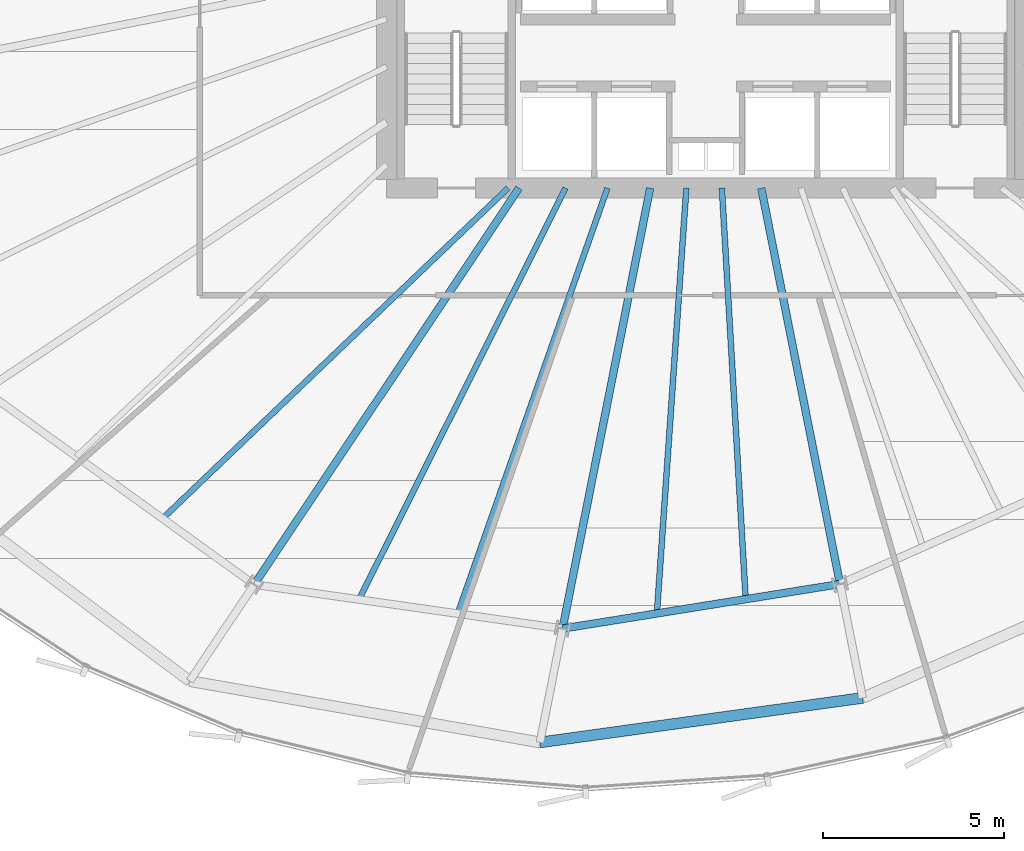
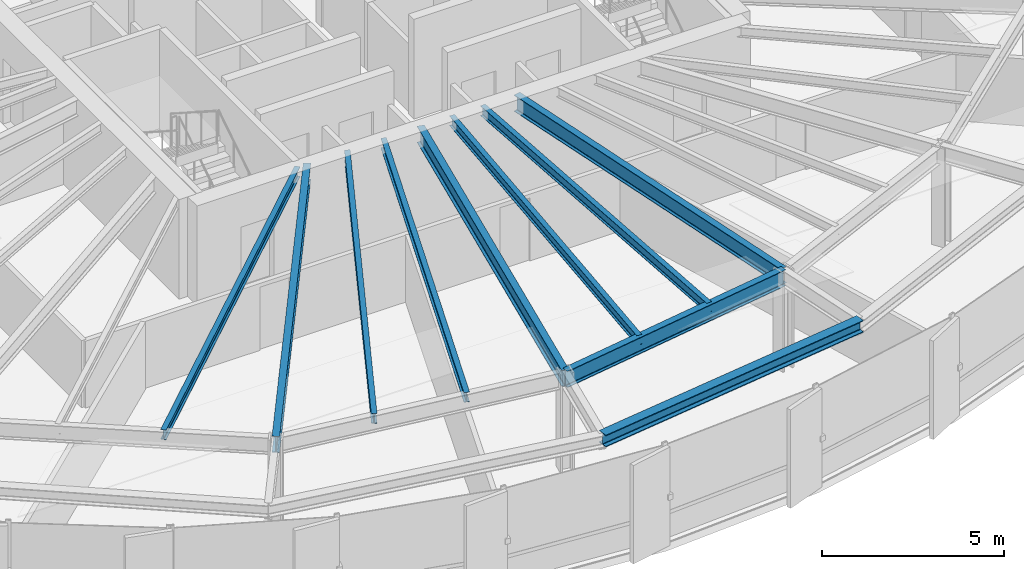
# One storey, part 6 of 35: 10 beams.
"""IFC4 building model written with IfcOpenShell, lengths in metres."""

import ifcopenshell
import ifcopenshell.guid

model = None  # the IFC model being written
_history = None  # IfcOwnerHistory: only IFC2X3 demands one
_inside = {}  # id of a spatial element -> (the spatial element, [elements in it])
_under = {}  # id of a project, library or spatial element -> (it, [spatial elements below it])
_declared = {}  # id of a project -> (the project, [libraries it declares])
_typed = {}  # id of a type object -> (the type object, [elements of that type])
_made_of = {}  # id of a material, layer set ... -> (it, [elements and type objects made of it])


def new_model(schema):
    """Start an empty IFC model of exactly this schema.

    Asked for "IFC4X3", IfcOpenShell would pick the latest addendum, in which some entities
    have other attributes; the version numbers below select the first issue.
    IFC2X3 requires an IfcOwnerHistory on every rooted entity: one is made here for all.
    """
    global model, _history
    if schema == "IFC4X3":
        model = ifcopenshell.file(schema_version=(4, 3, 0, 0))
    else:
        model = ifcopenshell.file(schema=schema)
    _inside.clear()
    _under.clear()
    _declared.clear()
    _typed.clear()
    _made_of.clear()
    _history = None
    if model.schema == "IFC2X3":
        org = make("IfcOrganization", Name="unknown")
        user = make(
            "IfcPersonAndOrganization",
            ThePerson=make("IfcPerson", FamilyName="unknown"),
            TheOrganization=org,
        )
        app = make(
            "IfcApplication",
            ApplicationDeveloper=org,
            Version="unknown",
            ApplicationFullName="unknown",
            ApplicationIdentifier="unknown",
        )
        _history = make(
            "IfcOwnerHistory",
            OwningUser=user,
            OwningApplication=app,
            ChangeAction="ADDED",
            CreationDate=0,
        )
    return model


def make(cls, **values):
    """One entity of the class cls with the attributes given. An attribute that is None is left unset."""
    return model.create_entity(
        cls, **{name: value for name, value in values.items() if value is not None}
    )


def rooted(cls, **values):
    """An entity with a GlobalId (a new one), such as an element, a storey or a relation."""
    return make(cls, GlobalId=ifcopenshell.guid.new(), OwnerHistory=_history, **values)


def si_unit(unit_type, name, prefix=None):
    """IfcSIUnit, for example si_unit("LENGTHUNIT", "METRE", prefix="MILLI")."""
    return make("IfcSIUnit", UnitType=unit_type, Prefix=prefix, Name=name)


def assignment(units):
    """IfcUnitAssignment: the units of a project."""
    return None if units is None else make("IfcUnitAssignment", Units=units)


def point(xyz):
    """IfcCartesianPoint."""
    return None if xyz is None else make("IfcCartesianPoint", Coordinates=xyz)


def direction(xyz):
    """IfcDirection."""
    return None if xyz is None else make("IfcDirection", DirectionRatios=xyz)


def frame(location, z_axis=None, x_axis=None):
    """IfcAxis2Placement3D, a coordinate frame: its origin and axes. An axis left out is left unset."""
    return make(
        "IfcAxis2Placement3D",
        Location=point(location),
        Axis=direction(z_axis),
        RefDirection=direction(x_axis),
    )


def frame_2d(location, x_axis=None):
    """IfcAxis2Placement2D, a coordinate frame in the plane: its origin and x axis."""
    return make(
        "IfcAxis2Placement2D", Location=point(location), RefDirection=direction(x_axis)
    )


def origin():
    """The frame at (0, 0, 0) with its axes left unset."""
    return frame((0.0, 0.0, 0.0))


def origin_2d():
    """The frame at (0, 0) in the plane with its x axis left unset."""
    return frame_2d((0.0, 0.0))


def place(relative_to, where):
    """IfcLocalPlacement: puts the frame where relative to a parent placement (None: the world)."""
    return make(
        "IfcLocalPlacement", PlacementRelTo=relative_to, RelativePlacement=where
    )


def context(
    kind, dimensions, precision=None, world=None, true_north=None, identifier=None
):
    """IfcGeometricRepresentationContext, for example the 3D "Model" context."""
    return make(
        "IfcGeometricRepresentationContext",
        ContextIdentifier=identifier,
        ContextType=kind,
        CoordinateSpaceDimension=dimensions,
        Precision=precision,
        WorldCoordinateSystem=world,
        TrueNorth=true_north,
    )


def subcontext(parent, identifier, kind, view, scale=None):
    """IfcGeometricRepresentationSubContext, for example "Body" below "Model"."""
    return make(
        "IfcGeometricRepresentationSubContext",
        ContextIdentifier=identifier,
        ContextType=kind,
        ParentContext=parent,
        TargetScale=scale,
        TargetView=view,
    )


def project(units=None, contexts=None):
    """IfcProject with its units and contexts."""
    return rooted(
        "IfcProject",
        Name="project",
        RepresentationContexts=contexts,
        UnitsInContext=assignment(units),
    )


def spatial(cls, under=None, at=None, **own):
    """A site, building, storey or space (cls), placed at a placement, below another one or the project."""
    s = rooted(cls, ObjectPlacement=at, **own)
    if under is not None:
        _under.setdefault(under.id(), (under, []))[1].append(s)
    return s


def profile(cls, at=None, kind="AREA", **sizes):
    """A parametric profile (cls). Its sizes go by their IFC names, for example OverallWidth=200.0."""
    return make(cls, ProfileType=kind, Position=at, **sizes)


def i_section(**sizes):
    """IfcIShapeProfileDef."""
    return profile("IfcIShapeProfileDef", **sizes)


def extrude(swept, where, along, depth):
    """IfcExtrudedAreaSolid: the profile swept, set in the frame where, extruded along a direction by depth."""
    return make(
        "IfcExtrudedAreaSolid",
        SweptArea=swept,
        Position=where,
        ExtrudedDirection=direction(along),
        Depth=depth,
    )


def shape(context_of_items, identifier, shape_type, items):
    """IfcShapeRepresentation: the items that make up one representation, for example the "Body"."""
    return make(
        "IfcShapeRepresentation",
        ContextOfItems=context_of_items,
        RepresentationIdentifier=identifier,
        RepresentationType=shape_type,
        Items=items,
    )


def source(mapping_origin, context_of_items, identifier, shape_type, items):
    """IfcRepresentationMap: a shape defined once, which mapped items show again and again."""
    return make(
        "IfcRepresentationMap",
        MappingOrigin=mapping_origin,
        MappedRepresentation=shape(context_of_items, identifier, shape_type, items),
    )


def transform(
    local_origin,
    x_axis=None,
    y_axis=None,
    z_axis=None,
    scale=None,
    scale2=None,
    scale3=None,
    uniform=True,
):
    """IfcCartesianTransformationOperator3D, or its non-uniform kind. x_axis, y_axis, z_axis: its Axis1, 2, 3."""
    if uniform:
        return make(
            "IfcCartesianTransformationOperator3D",
            Axis1=direction(x_axis),
            Axis2=direction(y_axis),
            LocalOrigin=point(local_origin),
            Scale=scale,
            Axis3=direction(z_axis),
        )
    return make(
        "IfcCartesianTransformationOperator3DnonUniform",
        Axis1=direction(x_axis),
        Axis2=direction(y_axis),
        LocalOrigin=point(local_origin),
        Scale=scale,
        Axis3=direction(z_axis),
        Scale2=scale2,
        Scale3=scale3,
    )


def mapped(mapping_source, mapping_target):
    """IfcMappedItem: shows the shape of a source again, moved by a transform."""
    return make(
        "IfcMappedItem", MappingSource=mapping_source, MappingTarget=mapping_target
    )


def material(Name=None, Category=None):
    """IfcMaterial."""
    return make("IfcMaterial", Name=Name, Category=Category)


def material_profile(
    of_material, cross_section, Name=None, Category=None, Priority=None
):
    """IfcMaterialProfile: a cross section and its material."""
    return make(
        "IfcMaterialProfile",
        Name=Name,
        Material=of_material,
        Profile=cross_section,
        Priority=Priority,
        Category=Category,
    )


def profile_set(profiles, Name=None, composite=None):
    """IfcMaterialProfileSet."""
    return make(
        "IfcMaterialProfileSet",
        Name=Name,
        MaterialProfiles=profiles,
        CompositeProfile=composite,
    )


def made_of(thing, what):
    """Note that an element or type object is made of a material, layer set ...; save() writes the relation."""
    if what is not None:
        _made_of.setdefault(what.id(), (what, []))[1].append(thing)
    return thing


def type_object(cls, material=None, **own):
    """A type object (cls), such as IfcWallType, which elements share."""
    return made_of(rooted(cls, **own), material)


def element(
    cls,
    number,
    at=None,
    inside=None,
    cuts=None,
    type_object=None,
    material=None,
    context=None,
    identifier="Body",
    shape_type=None,
    held_by="IfcProductDefinitionShape",
    body=None,
    shapes=None,
    **own,
):
    """One element of the class cls, such as IfcWall. Its Tag is "e" and its number.

    at: its placement. inside: the storey or other place that contains it. cuts: it is an
    opening in that element (IfcRelVoidsElement). A single representation is given by context,
    identifier, shape_type and body (its items); several are given by shapes. held_by: the class
    of the entity that holds the representations. save() writes the other relations.
    """
    e = rooted(cls, Tag="e%d" % number, ObjectPlacement=at, **own)
    if body is not None:
        shapes = [shape(context, identifier, shape_type, body)]
    if shapes is not None:
        e.Representation = make(held_by, Representations=shapes)
    if inside is not None:
        _inside.setdefault(inside.id(), (inside, []))[1].append(e)
    if cuts is not None:
        rooted(
            "IfcRelVoidsElement", RelatingBuildingElement=cuts, RelatedOpeningElement=e
        )
    if type_object is not None:
        _typed.setdefault(type_object.id(), (type_object, []))[1].append(e)
    return made_of(e, material)


def aggregate(whole, parts):
    """IfcRelAggregates: a whole, such as a stair, and the parts it consists of."""
    return rooted("IfcRelAggregates", RelatingObject=whole, RelatedObjects=parts)


def save(model, path):
    """Write the relations noted so far, then the file.

    IfcRelAggregates (storeys below a building ...), IfcRelContainedInSpatialStructure (elements
    in a storey), IfcRelDefinesByType, IfcRelAssociatesMaterial and IfcRelDeclares: one each for
    every whole, place, type object, material and project.
    """
    for whole, parts in _under.values():
        aggregate(whole, parts)
    for where, things in _inside.values():
        rooted(
            "IfcRelContainedInSpatialStructure",
            RelatedElements=things,
            RelatingStructure=where,
        )
    for kind, things in _typed.values():
        rooted("IfcRelDefinesByType", RelatedObjects=things, RelatingType=kind)
    for what, things in _made_of.values():
        rooted("IfcRelAssociatesMaterial", RelatedObjects=things, RelatingMaterial=what)
    for by, libraries in _declared.values():
        rooted("IfcRelDeclares", RelatingContext=by, RelatedDefinitions=libraries)
    model.write(path)


model = new_model("IFC4")

# Units and contexts
model_context = context("Model", 3, precision=1e-05, world=origin(), true_north=direction((0.0, 1.0)))
body_context = subcontext(model_context, "Body", "Model", "MODEL_VIEW")
ifc_project = project(units=[si_unit("LENGTHUNIT", "METRE"), si_unit("AREAUNIT", "SQUARE_METRE"), si_unit("VOLUMEUNIT", "CUBIC_METRE"), si_unit("PLANEANGLEUNIT", "RADIAN"), si_unit("MASSUNIT", "GRAM", prefix="KILO"), si_unit("THERMODYNAMICTEMPERATUREUNIT", "KELVIN")], contexts=[model_context])

# Site, building, storey
site_placement = place(None, origin())
site = spatial("IfcSite", under=ifc_project, at=site_placement, CompositionType="ELEMENT")
building_placement = place(site_placement, origin())
building = spatial("IfcBuilding", under=site, at=building_placement, Name="Kethvar Cultural Tower", CompositionType="ELEMENT")
storey_placement = place(building_placement, frame((0.0, 0.0, 100.0)))
storey = spatial("IfcBuildingStorey", under=building, at=storey_placement, Name="L24", CompositionType="ELEMENT", Elevation=100.0)

# Beams
ifc_material = material(Name="Steel S355J2", Category="steel")
ifc_material_profile_1 = material_profile(ifc_material, i_section(OverallWidth=0.2099609375, OverallDepth=0.550048828125, WebThickness=0.010986328125, FlangeThickness=0.01708984375, FilletRadius=0.02392578125, at=origin_2d()), Name="Steel S355J2 — IPE550")
ifc_profile_set_1 = profile_set([ifc_material_profile_1], Name="Steel S355J2 — IPE550")
beam_type_1 = type_object("IfcBeamType", Name="BM-IPE550", PredefinedType="BEAM", material=ifc_profile_set_1)
shared_shape_1 = source(origin(), body_context, "Body", "SweptSolid", [
    extrude(i_section(OverallWidth=0.2099609375, OverallDepth=0.550048828125, WebThickness=0.010986328125, FlangeThickness=0.01708984375, FilletRadius=0.02392578125, at=origin_2d()), origin(), (0.0, 0.0, 1.0), 13.147216796875),
])
beam_1_placement = place(storey_placement, frame((41.655029296875, 20.10009765625, 3.072998046875), z_axis=(-0.555565525446, -0.831472757783, 0.0), x_axis=(0.831472757783, -0.555565525446, 0.0)))
element("IfcBeam", 1, at=beam_1_placement, inside=storey, type_object=beam_type_1, Name="L24 Primary Radial Beam RB-11", PredefinedType="BEAM", context=body_context, shape_type="MappedRepresentation", body=[
    mapped(shared_shape_1, transform((0.0, 0.0, 0.0), scale=1.0)),
])
shared_shape_2 = source(origin(), body_context, "Body", "SweptSolid", [
    extrude(i_section(OverallWidth=0.2099609375, OverallDepth=0.550048828125, WebThickness=0.010986328125, FlangeThickness=0.01708984375, FilletRadius=0.02392578125, at=origin_2d()), origin(), (0.0, 0.0, 1.0), 12.384521484375),
])
beam_2_placement = place(storey_placement, frame((45.268310546875, 20.10009765625, 3.072998046875), z_axis=(-0.195084858678, -0.980786367113, 0.0), x_axis=(0.980786367113, -0.195084858678, 0.0)))
element("IfcBeam", 2, at=beam_2_placement, inside=storey, type_object=beam_type_1, Name="L24 Primary Radial Beam RB-12", PredefinedType="BEAM", context=body_context, shape_type="MappedRepresentation", body=[
    mapped(shared_shape_2, transform((0.0, 0.0, 0.0), scale=1.0)),
])
shared_shape_3 = source(origin(), body_context, "Body", "SweptSolid", [
    extrude(i_section(OverallWidth=0.2099609375, OverallDepth=0.550048828125, WebThickness=0.010986328125, FlangeThickness=0.01708984375, FilletRadius=0.02392578125, at=origin_2d()), origin(), (0.0, 0.0, 1.0), 11.131591796875),
])
beam_3_placement = place(storey_placement, frame((48.33154296875, 20.10009765625, 3.072998046875), z_axis=(0.195107998266, -0.980781764213, 0.0), x_axis=(0.980781764213, 0.195107998266, 0.0)))
element("IfcBeam", 3, at=beam_3_placement, inside=storey, type_object=beam_type_1, Name="L24 Primary Radial Beam RB-13", PredefinedType="BEAM", context=body_context, shape_type="MappedRepresentation", body=[
    mapped(shared_shape_3, transform((0.0, 0.0, 0.0), scale=1.0)),
])
ifc_material_profile_2 = material_profile(ifc_material, i_section(OverallWidth=0.159912109375, OverallDepth=0.330078125, WebThickness=0.007568359375, FlangeThickness=0.011474609375, FilletRadius=0.01806640625, at=origin_2d()), Name="Steel S355J2 — IPE330")
ifc_profile_set_2 = profile_set([ifc_material_profile_2], Name="Steel S355J2 — IPE330")
beam_type_2 = type_object("IfcBeamType", Name="BM-J330", PredefinedType="JOIST", material=ifc_profile_set_2)
shared_shape_4 = source(origin(), body_context, "Body", "SweptSolid", [
    extrude(i_section(OverallWidth=0.159912109375, OverallDepth=0.330078125, WebThickness=0.007568359375, FlangeThickness=0.011474609375, FilletRadius=0.01806640625, at=origin_2d()), origin(), (0.0, 0.0, 1.0), 13.1826171875),
])
beam_4_placement = place(storey_placement, frame((41.35009765625, 20.10009765625, 3.18310546875), z_axis=(-0.722573880181, -0.691293705801, 0.0), x_axis=(0.691293705801, -0.722573880181, 0.0)))
element("IfcBeam", 4, at=beam_4_placement, inside=storey, type_object=beam_type_2, Name="L24 Composite Floor Joist J-10B", PredefinedType="JOIST", context=body_context, shape_type="MappedRepresentation", body=[
    mapped(shared_shape_4, transform((0.0, 0.0, 0.0), scale=1.0)),
])
shared_shape_5 = source(origin(), body_context, "Body", "SweptSolid", [
    extrude(i_section(OverallWidth=0.159912109375, OverallDepth=0.330078125, WebThickness=0.007568359375, FlangeThickness=0.011474609375, FilletRadius=0.01806640625, at=origin_2d()), origin(), (0.0, 0.0, 1.0), 12.693603515625),
])
beam_5_placement = place(storey_placement, frame((42.935302734375, 20.10009765625, 3.18310546875), z_axis=(-0.448582495233, -0.893741430712, 0.0), x_axis=(0.893741430712, -0.448582495233, 0.0)))
element("IfcBeam", 5, at=beam_5_placement, inside=storey, type_object=beam_type_2, Name="L24 Composite Floor Joist J-11A", PredefinedType="JOIST", context=body_context, shape_type="MappedRepresentation", body=[
    mapped(shared_shape_5, transform((0.0, 0.0, 0.0), scale=1.0)),
])
shared_shape_6 = source(origin(), body_context, "Body", "SweptSolid", [
    extrude(i_section(OverallWidth=0.159912109375, OverallDepth=0.330078125, WebThickness=0.007568359375, FlangeThickness=0.011474609375, FilletRadius=0.01806640625, at=origin_2d()), origin(), (0.0, 0.0, 1.0), 12.4384765625),
])
beam_6_placement = place(storey_placement, frame((44.090576171875, 20.10009765625, 3.18310546875), z_axis=(-0.331923676994, -0.943306245421, 0.0), x_axis=(0.943306245421, -0.331923676994, 0.0)))
element("IfcBeam", 6, at=beam_6_placement, inside=storey, type_object=beam_type_2, Name="L24 Composite Floor Joist J-11B", PredefinedType="JOIST", context=body_context, shape_type="MappedRepresentation", body=[
    mapped(shared_shape_6, transform((0.0, 0.0, 0.0), scale=1.0)),
])
shared_shape_7 = source(origin(), body_context, "Body", "SweptSolid", [
    extrude(i_section(OverallWidth=0.2099609375, OverallDepth=0.550048828125, WebThickness=0.010986328125, FlangeThickness=0.01708984375, FilletRadius=0.02392578125, at=origin_2d()), origin(), (0.0, 0.0, 1.0), 7.749267578125),
])
beam_7_placement = place(storey_placement, frame((42.852294921875, 7.95361328125, 3.072998046875), z_axis=(0.987348257569, 0.158566762831, 0.0), x_axis=(-0.158566762831, 0.987348257569, 0.0)))
element("IfcBeam", 7, at=beam_7_placement, inside=storey, type_object=beam_type_1, Name="L24 Column Ring Tie Beam CR-12", PredefinedType="BEAM", context=body_context, shape_type="MappedRepresentation", body=[
    mapped(shared_shape_7, transform((0.0, 0.0, 0.0), scale=1.0)),
])
ifc_material_profile_3 = material_profile(ifc_material, i_section(OverallWidth=0.300048828125, OverallDepth=0.39990234375, WebThickness=0.013427734375, FlangeThickness=0.02392578125, FilletRadius=0.027099609375, at=origin_2d()), Name="Steel S355J2 — HEB400")
ifc_profile_set_3 = profile_set([ifc_material_profile_3], Name="Steel S355J2 — HEB400")
beam_type_3 = type_object("IfcBeamType", Name="BM-SP400", PredefinedType="SPANDREL", material=ifc_profile_set_3)
shared_shape_8 = source(origin(), body_context, "Body", "SweptSolid", [
    extrude(i_section(OverallWidth=0.300048828125, OverallDepth=0.39990234375, WebThickness=0.013427734375, FlangeThickness=0.02392578125, FilletRadius=0.027099609375, at=origin_2d()), origin(), (0.0, 0.0, 1.0), 8.984130859375),
])
beam_8_placement = place(storey_placement, frame((42.22802734375, 4.81494140625, 3.14794921875), z_axis=(0.990602728928, 0.136770733127, 0.0), x_axis=(-0.136770733127, 0.990602728928, 0.0)))
element("IfcBeam", 8, at=beam_8_placement, inside=storey, type_object=beam_type_3, Name="L24 Perimeter Spandrel Beam SP-12", PredefinedType="SPANDREL", context=body_context, shape_type="MappedRepresentation", body=[
    mapped(shared_shape_8, transform((0.0, 0.0, 0.0), scale=1.0)),
])
shared_shape_9 = source(origin(), body_context, "Body", "SweptSolid", [
    extrude(i_section(OverallWidth=0.159912109375, OverallDepth=0.330078125, WebThickness=0.007568359375, FlangeThickness=0.011474609375, FilletRadius=0.01806640625, at=origin_2d()), origin(), (0.0, 0.0, 1.0), 11.7568359375),
])
beam_9_placement = place(storey_placement, frame((46.266357421875, 20.10009765625, 3.18310546875), z_axis=(-0.069129203877, -0.997607715072, 0.0), x_axis=(0.997607715072, -0.069129203877, 0.0)))
element("IfcBeam", 9, at=beam_9_placement, inside=storey, type_object=beam_type_2, Name="L24 Composite Floor Joist J-12A", PredefinedType="JOIST", context=body_context, shape_type="MappedRepresentation", body=[
    mapped(shared_shape_9, transform((0.0, 0.0, 0.0), scale=1.0)),
])
shared_shape_10 = source(origin(), body_context, "Body", "SweptSolid", [
    extrude(i_section(OverallWidth=0.159912109375, OverallDepth=0.330078125, WebThickness=0.007568359375, FlangeThickness=0.011474609375, FilletRadius=0.01806640625, at=origin_2d()), origin(), (0.0, 0.0, 1.0), 11.354736328125),
])
beam_10_placement = place(storey_placement, frame((47.245849609375, 20.10009765625, 3.18310546875), z_axis=(0.057795585741, -0.998328438075, 0.0), x_axis=(0.998328438075, 0.057795585741, 0.0)))
element("IfcBeam", 10, at=beam_10_placement, inside=storey, type_object=beam_type_2, Name="L24 Composite Floor Joist J-12B", PredefinedType="JOIST", context=body_context, shape_type="MappedRepresentation", body=[
    mapped(shared_shape_10, transform((0.0, 0.0, 0.0), scale=1.0)),
])

save(model, "model.ifc")
